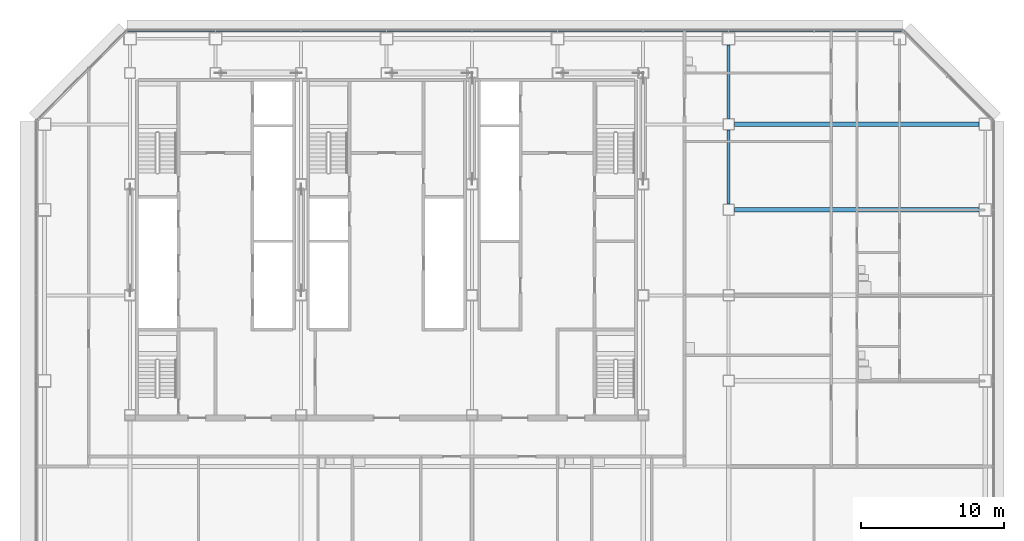
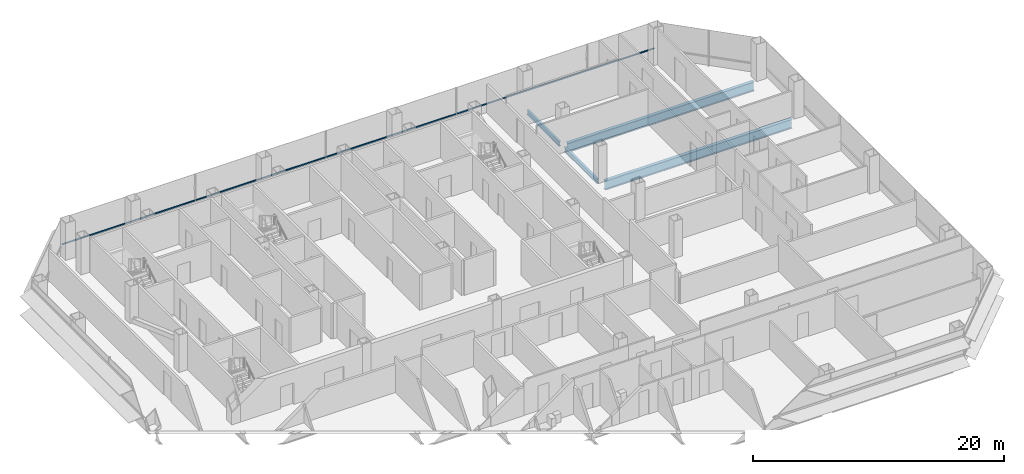
# One storey, part 14 of 26: 4 beams, 1 member, 1 element without a shape of its own.
"""IFC4 building model written with IfcOpenShell, lengths in metres."""

from ifc_helpers import new_model, si_unit, direction, frame, origin, origin_2d, place, context, subcontext, project, spatial, rectangle, i_section, extrude, material, material_profile, profile_set, type_object, element, aggregate, save


model = new_model("IFC4")

# Units and contexts
model_context = context("Model", 3, precision=1e-05, world=origin(), true_north=direction((0.0, 1.0)))
body_context = subcontext(model_context, "Body", "Model", "MODEL_VIEW")
ifc_project = project(units=[si_unit("LENGTHUNIT", "METRE"), si_unit("AREAUNIT", "SQUARE_METRE"), si_unit("VOLUMEUNIT", "CUBIC_METRE"), si_unit("PLANEANGLEUNIT", "RADIAN"), si_unit("MASSUNIT", "GRAM", prefix="KILO")], contexts=[model_context])

# Site, building, storey
site_placement = place(None, origin())
site = spatial("IfcSite", under=ifc_project, at=site_placement, CompositionType="ELEMENT")
building_placement = place(site_placement, origin())
building = spatial("IfcBuilding", under=site, at=building_placement, Name="Sorahane Residences", CompositionType="ELEMENT")
storey_placement = place(building_placement, frame((0.0, 0.0, 67.800048828125)))
storey = spatial("IfcBuildingStorey", under=building, at=storey_placement, Name="L13", CompositionType="ELEMENT", Elevation=67.800048828125)

# Curtain wall, member
ifc_material_1 = material(Name="Dark low-e glass and black anodised aluminium", Category="aluminium")
curtain_wall_type = type_object("IfcCurtainWallType", Name="Curtain wall CW-1 Typical unitised wall", PredefinedType="NOTDEFINED", material=ifc_material_1)
curtain_wall_placement = place(storey_placement, origin())
curtain_wall = element("IfcCurtainWall", 1, at=curtain_wall_placement, inside=storey, type_object=curtain_wall_type, Name="CW-1 curtain wall L13 N1", PredefinedType="NOTDEFINED")
ifc_material_2 = material(Name="Black anodised aluminium", Category="aluminium")
ifc_material_profile_1 = material_profile(ifc_material_2, rectangle(XDim=0.10009765625, YDim=0.06005859375, at=origin_2d()), Name="Curtain wall transom CW-1 black anodised aluminium 60x100")
ifc_profile_set_1 = profile_set([ifc_material_profile_1], Name="Black anodised aluminium")
member_type = type_object("IfcMemberType", Name="Curtain wall transom CW-1 black anodised aluminium 60x100", PredefinedType="USERDEFINED", material=ifc_profile_set_1)
member_placement = place(storey_placement, frame((60.198486328125, 48.530029296875, 0.89990234375), z_axis=(-1.0, 0.0, 0.0), x_axis=(0.0, -1.0, 0.0)))
member = element("IfcMember", 2, at=member_placement, type_object=member_type, Name="CW-1 transom L13 N1", ObjectType="TRANSOM", PredefinedType="USERDEFINED", context=body_context, shape_type="SweptSolid", body=[
    extrude(rectangle(XDim=0.10009765625, YDim=0.06005859375, at=origin_2d()), origin(), (0.0, 0.0, 1.0), 54.39697265625),
])
aggregate(curtain_wall, [member])

# Beams
ifc_material_3 = material(Name="Steel Q355B", Category="steel")
ifc_material_profile_2 = material_profile(ifc_material_3, i_section(OverallWidth=0.199951171875, OverallDepth=0.449951171875, WebThickness=0.009033203125, FlangeThickness=0.013916015625, FilletRadius=0.02001953125, at=origin_2d()), Name="HN 450x200x9x14")
ifc_profile_set_2 = profile_set([ifc_material_profile_2], Name="Steel Q355B")
beam_type_1 = type_object("IfcBeamType", Name="Steel floor beam HN 450x200x9x14 Q355B", PredefinedType="BEAM", material=ifc_profile_set_2)
beam_1_placement = place(storey_placement, frame((48.0, 36.39990234375, -0.405029296875), z_axis=(0.0, 1.0, 0.0), x_axis=(-1.0, 0.0, 0.0)))
element("IfcBeam", 3, at=beam_1_placement, inside=storey, type_object=beam_type_1, Name="Beam L13 055", PredefinedType="BEAM", context=body_context, shape_type="SweptSolid", body=[
    extrude(i_section(OverallWidth=0.199951171875, OverallDepth=0.449951171875, WebThickness=0.009033203125, FlangeThickness=0.013916015625, FilletRadius=0.02001953125, at=origin_2d()), origin(), (0.0, 0.0, 1.0), 5.2001953125),
])
beam_2_placement = place(storey_placement, frame((48.0, 42.39990234375, -0.405029296875), z_axis=(0.0, 1.0, 0.0), x_axis=(-1.0, 0.0, 0.0)))
element("IfcBeam", 4, at=beam_2_placement, inside=storey, type_object=beam_type_1, Name="Beam L13 056", PredefinedType="BEAM", context=body_context, shape_type="SweptSolid", body=[
    extrude(i_section(OverallWidth=0.199951171875, OverallDepth=0.449951171875, WebThickness=0.009033203125, FlangeThickness=0.013916015625, FilletRadius=0.02001953125, at=origin_2d()), origin(), (0.0, 0.0, 1.0), 5.150146484375),
])
ifc_material_4 = material(Name="Steel Q355B", Category="steel")
ifc_material_profile_3 = material_profile(ifc_material_4, i_section(OverallWidth=0.300048828125, OverallDepth=0.89990234375, WebThickness=0.01611328125, FlangeThickness=0.028076171875, FilletRadius=0.028076171875, at=origin_2d()), Name="HN 900x300x16x28")
ifc_profile_set_3 = profile_set([ifc_material_profile_3], Name="Steel Q355B")
beam_type_2 = type_object("IfcBeamType", Name="Steel floor beam HN 900x300x16x28 Q355B", PredefinedType="BEAM", material=ifc_profile_set_3)
for number, where, z_axis, x_axis, name in (
    (5, (48.39990234375, 36.0, -0.630126953125), (1.0, 0.0, 0.0), (0.0, 1.0, 0.0), "Beam L13 011"),
    (6, (48.39990234375, 42.0, -0.630126953125), (1.0, 0.0, 0.0), (0.0, 1.0, 0.0), "Beam L13 081"),
):
    element("IfcBeam", number, at=place(storey_placement, frame(where, z_axis=z_axis, x_axis=x_axis)), inside=storey, type_object=beam_type_2, Name=name, PredefinedType="BEAM", context=body_context, shape_type="SweptSolid", body=[
        extrude(i_section(OverallWidth=0.300048828125, OverallDepth=0.89990234375, WebThickness=0.01611328125, FlangeThickness=0.028076171875, FilletRadius=0.028076171875, at=origin_2d()), origin(), (0.0, 0.0, 1.0), 17.150146484375),
    ])

save(model, "model.ifc")
